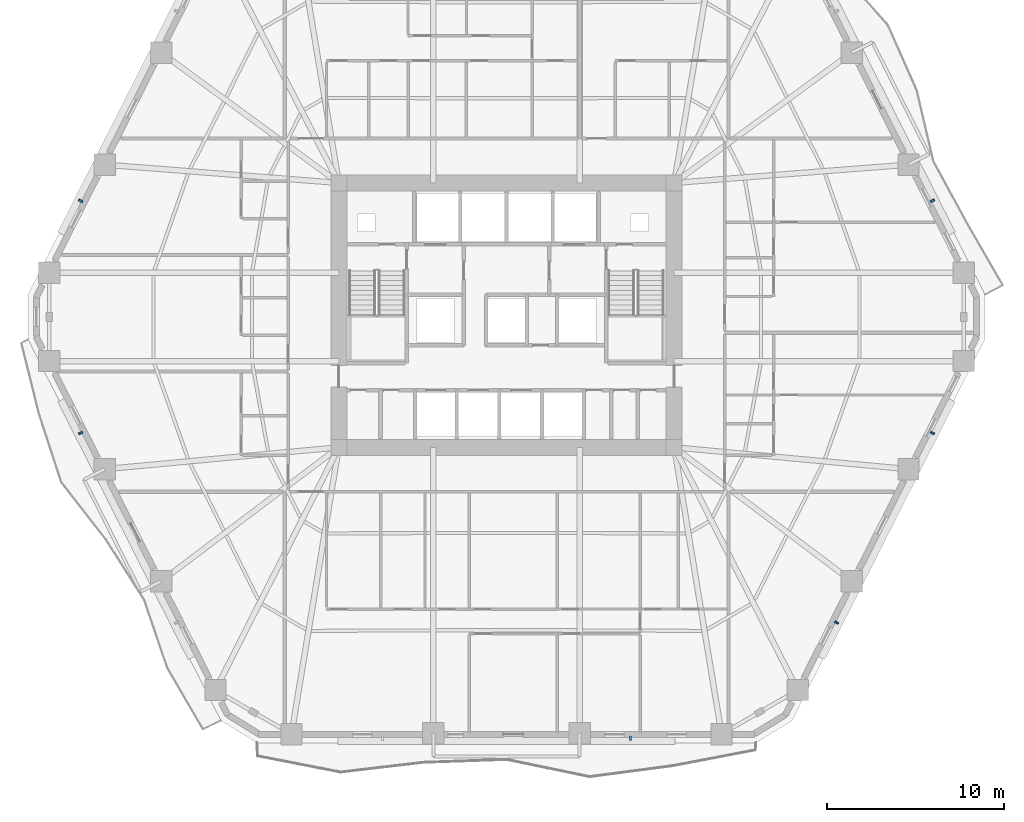
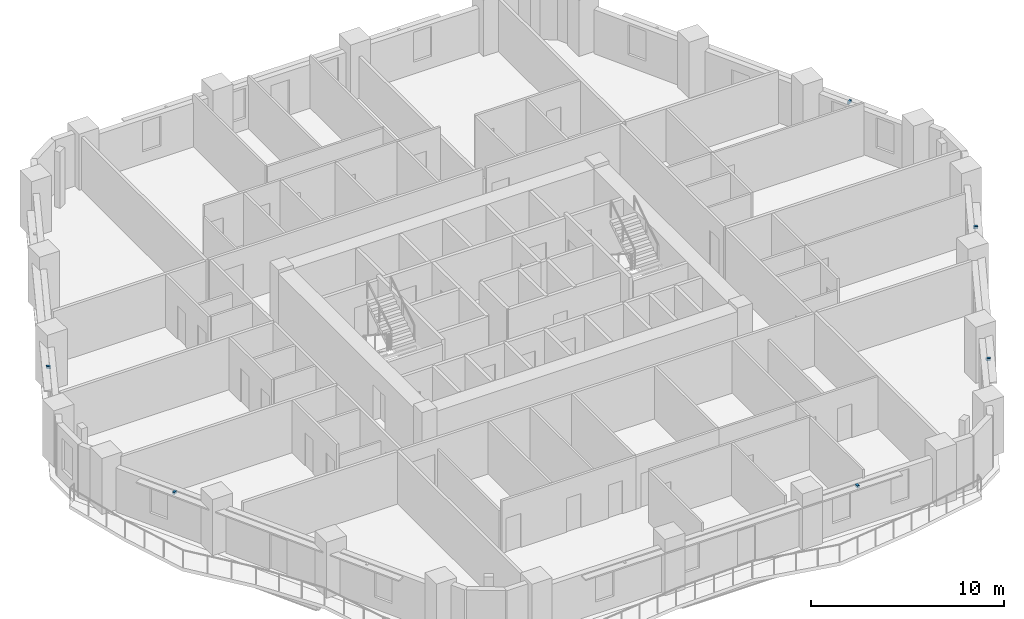
# One storey, part 9 of 14: 6 discrete accessories.
"""IFC4 building model written with IfcOpenShell, lengths in metres."""

from ifc_helpers import new_model, si_unit, direction, frame, origin, origin_2d, place, context, subcontext, project, spatial, rectangle, extrude, material, type_object, element, save


model = new_model("IFC4")

# Units and contexts
model_context = context("Model", 3, precision=1e-05, world=origin(), true_north=direction((0.0, 1.0)))
body_context = subcontext(model_context, "Body", "Model", "MODEL_VIEW")
ifc_project = project(units=[si_unit("LENGTHUNIT", "METRE"), si_unit("AREAUNIT", "SQUARE_METRE"), si_unit("VOLUMEUNIT", "CUBIC_METRE"), si_unit("PLANEANGLEUNIT", "RADIAN"), si_unit("MASSUNIT", "GRAM", prefix="KILO")], contexts=[model_context])

# Site, building, storey
site_placement = place(None, origin())
site = spatial("IfcSite", under=ifc_project, at=site_placement, CompositionType="ELEMENT")
building_placement = place(site_placement, origin())
building = spatial("IfcBuilding", under=site, at=building_placement, Name="Cinnabar Lancet Tower", CompositionType="ELEMENT")
storey_placement = place(building_placement, frame((0.0, 0.0, 67.5)))
storey = spatial("IfcBuildingStorey", under=building, at=storey_placement, Name="L17", CompositionType="ELEMENT", Elevation=67.5)

# Discrete accessories
ifc_material = material(Name="Stainless steel 316 facade fixing bracket", Category="steel")
discrete_accessory_type = type_object("IfcDiscreteAccessoryType", Name="ENV-ACC-BRK-180", PredefinedType="BRACKET", material=ifc_material)
for number, where, z_axis, x_axis, name in (
    (1, (39.383056640625, 2.06005859375, 2.60009765625), (0.0, 0.0, 1.0), (1.0, 0.0, 0.0), "L17 Face 1 Sunshade Bracket B"),
    (2, (50.993896484375, 8.5791015625, 2.60009765625), (0.0, 0.0, 1.0), (0.451500573218, 0.892270829056, 0.0), "L17 Face 2 Sunshade Bracket A"),
    (3, (56.39892578125, 19.260009765625, 2.60009765625), (0.0, 0.0, 1.0), (0.451500573218, 0.892270829056, 0.0), "L17 Face 2 Sunshade Bracket B"),
    (4, (56.39892578125, 32.340087890625, 2.60009765625), (0.0, 0.0, 1.0), (-0.451500573218, 0.892270829056, 0.0), "L17 Face 3 Sunshade Bracket A"),
    (5, (8.40087890625, 32.340087890625, 2.60009765625), (0.0, 0.0, 1.0), (-0.451500573218, -0.892270829056, 0.0), "L17 Face 5 Sunshade Bracket B"),
    (6, (8.40087890625, 19.260009765625, 2.60009765625), (0.0, 0.0, 1.0), (0.451500573218, -0.892270829056, 0.0), "L17 Face 6 Sunshade Bracket A"),
):
    element("IfcDiscreteAccessory", number, at=place(storey_placement, frame(where, z_axis=z_axis, x_axis=x_axis)), inside=storey, type_object=discrete_accessory_type, Name=name, PredefinedType="BRACKET", context=body_context, shape_type="SweptSolid", body=[
        extrude(rectangle(XDim=0.1201171875, YDim=0.239990234375, at=origin_2d()), origin(), (0.0, 0.0, 1.0), 0.159912109375),
    ])

save(model, "model.ifc")
